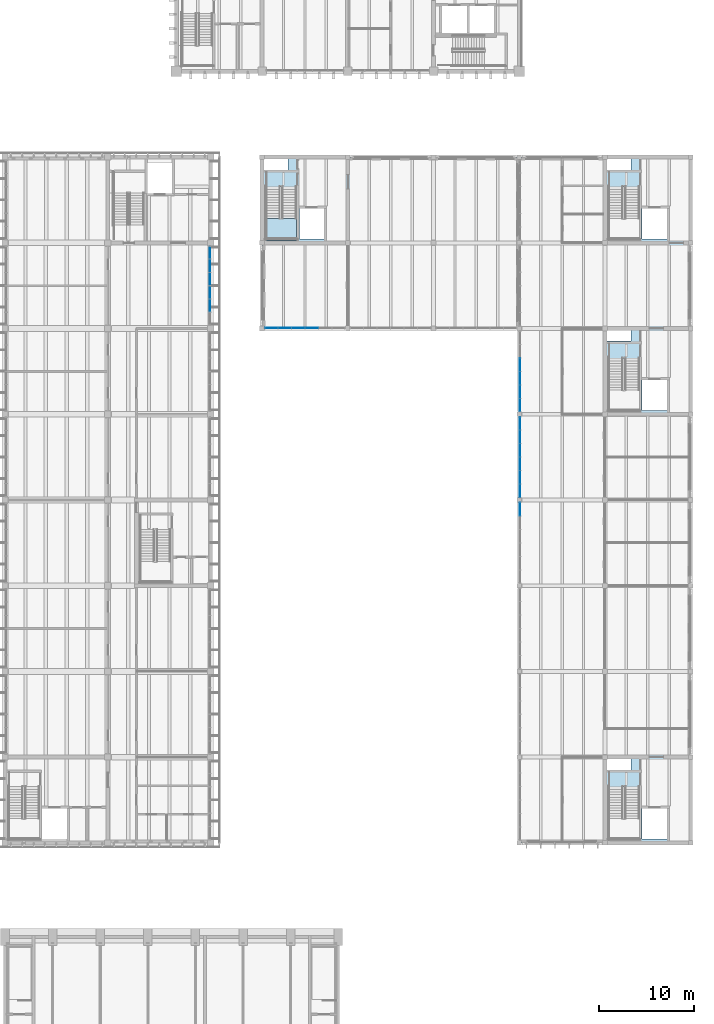
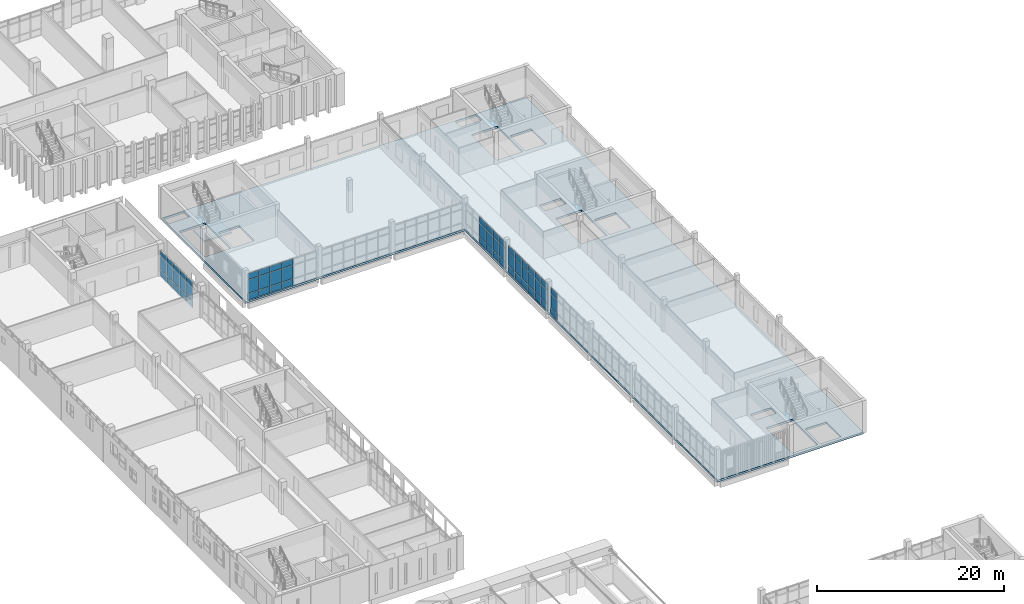
# One storey, part 42 of 92: 60 plates, 2 slabs, 6 elements without a shape of their own.
"""IFC4 building model written with IfcOpenShell, lengths in metres."""

import ifcopenshell
import ifcopenshell.guid

model = None  # the IFC model being written
_history = None  # IfcOwnerHistory: only IFC2X3 demands one
_inside = {}  # id of a spatial element -> (the spatial element, [elements in it])
_under = {}  # id of a project, library or spatial element -> (it, [spatial elements below it])
_declared = {}  # id of a project -> (the project, [libraries it declares])
_typed = {}  # id of a type object -> (the type object, [elements of that type])
_made_of = {}  # id of a material, layer set ... -> (it, [elements and type objects made of it])


def new_model(schema):
    """Start an empty IFC model of exactly this schema.

    Asked for "IFC4X3", IfcOpenShell would pick the latest addendum, in which some entities
    have other attributes; the version numbers below select the first issue.
    IFC2X3 requires an IfcOwnerHistory on every rooted entity: one is made here for all.
    """
    global model, _history
    if schema == "IFC4X3":
        model = ifcopenshell.file(schema_version=(4, 3, 0, 0))
    else:
        model = ifcopenshell.file(schema=schema)
    _inside.clear()
    _under.clear()
    _declared.clear()
    _typed.clear()
    _made_of.clear()
    _history = None
    if model.schema == "IFC2X3":
        org = make("IfcOrganization", Name="unknown")
        user = make(
            "IfcPersonAndOrganization",
            ThePerson=make("IfcPerson", FamilyName="unknown"),
            TheOrganization=org,
        )
        app = make(
            "IfcApplication",
            ApplicationDeveloper=org,
            Version="unknown",
            ApplicationFullName="unknown",
            ApplicationIdentifier="unknown",
        )
        _history = make(
            "IfcOwnerHistory",
            OwningUser=user,
            OwningApplication=app,
            ChangeAction="ADDED",
            CreationDate=0,
        )
    return model


def make(cls, **values):
    """One entity of the class cls with the attributes given. An attribute that is None is left unset."""
    return model.create_entity(
        cls, **{name: value for name, value in values.items() if value is not None}
    )


def rooted(cls, **values):
    """An entity with a GlobalId (a new one), such as an element, a storey or a relation."""
    return make(cls, GlobalId=ifcopenshell.guid.new(), OwnerHistory=_history, **values)


def si_unit(unit_type, name, prefix=None):
    """IfcSIUnit, for example si_unit("LENGTHUNIT", "METRE", prefix="MILLI")."""
    return make("IfcSIUnit", UnitType=unit_type, Prefix=prefix, Name=name)


def assignment(units):
    """IfcUnitAssignment: the units of a project."""
    return None if units is None else make("IfcUnitAssignment", Units=units)


def point(xyz):
    """IfcCartesianPoint."""
    return None if xyz is None else make("IfcCartesianPoint", Coordinates=xyz)


def direction(xyz):
    """IfcDirection."""
    return None if xyz is None else make("IfcDirection", DirectionRatios=xyz)


def frame(location, z_axis=None, x_axis=None):
    """IfcAxis2Placement3D, a coordinate frame: its origin and axes. An axis left out is left unset."""
    return make(
        "IfcAxis2Placement3D",
        Location=point(location),
        Axis=direction(z_axis),
        RefDirection=direction(x_axis),
    )


def frame_2d(location, x_axis=None):
    """IfcAxis2Placement2D, a coordinate frame in the plane: its origin and x axis."""
    return make(
        "IfcAxis2Placement2D", Location=point(location), RefDirection=direction(x_axis)
    )


def origin():
    """The frame at (0, 0, 0) with its axes left unset."""
    return frame((0.0, 0.0, 0.0))


def origin_2d():
    """The frame at (0, 0) in the plane with its x axis left unset."""
    return frame_2d((0.0, 0.0))


def place(relative_to, where):
    """IfcLocalPlacement: puts the frame where relative to a parent placement (None: the world)."""
    return make(
        "IfcLocalPlacement", PlacementRelTo=relative_to, RelativePlacement=where
    )


def context(
    kind, dimensions, precision=None, world=None, true_north=None, identifier=None
):
    """IfcGeometricRepresentationContext, for example the 3D "Model" context."""
    return make(
        "IfcGeometricRepresentationContext",
        ContextIdentifier=identifier,
        ContextType=kind,
        CoordinateSpaceDimension=dimensions,
        Precision=precision,
        WorldCoordinateSystem=world,
        TrueNorth=true_north,
    )


def subcontext(parent, identifier, kind, view, scale=None):
    """IfcGeometricRepresentationSubContext, for example "Body" below "Model"."""
    return make(
        "IfcGeometricRepresentationSubContext",
        ContextIdentifier=identifier,
        ContextType=kind,
        ParentContext=parent,
        TargetScale=scale,
        TargetView=view,
    )


def project(units=None, contexts=None):
    """IfcProject with its units and contexts."""
    return rooted(
        "IfcProject",
        Name="project",
        RepresentationContexts=contexts,
        UnitsInContext=assignment(units),
    )


def spatial(cls, under=None, at=None, **own):
    """A site, building, storey or space (cls), placed at a placement, below another one or the project."""
    s = rooted(cls, ObjectPlacement=at, **own)
    if under is not None:
        _under.setdefault(under.id(), (under, []))[1].append(s)
    return s


def polyline(points):
    """IfcPolyline through the points."""
    return make("IfcPolyline", Points=[point(p) for p in points])


def profile(cls, at=None, kind="AREA", **sizes):
    """A parametric profile (cls). Its sizes go by their IFC names, for example OverallWidth=200.0."""
    return make(cls, ProfileType=kind, Position=at, **sizes)


def rectangle(**sizes):
    """IfcRectangleProfileDef."""
    return profile("IfcRectangleProfileDef", **sizes)


def outline(outer, holes=None, kind="AREA"):
    """IfcArbitraryClosedProfileDef: a profile drawn as a closed curve; with holes, ...WithVoids."""
    if holes is None:
        return make("IfcArbitraryClosedProfileDef", ProfileType=kind, OuterCurve=outer)
    return make(
        "IfcArbitraryProfileDefWithVoids",
        ProfileType=kind,
        OuterCurve=outer,
        InnerCurves=holes,
    )


def extrude(swept, where, along, depth):
    """IfcExtrudedAreaSolid: the profile swept, set in the frame where, extruded along a direction by depth."""
    return make(
        "IfcExtrudedAreaSolid",
        SweptArea=swept,
        Position=where,
        ExtrudedDirection=direction(along),
        Depth=depth,
    )


def shape(context_of_items, identifier, shape_type, items):
    """IfcShapeRepresentation: the items that make up one representation, for example the "Body"."""
    return make(
        "IfcShapeRepresentation",
        ContextOfItems=context_of_items,
        RepresentationIdentifier=identifier,
        RepresentationType=shape_type,
        Items=items,
    )


def material(Name=None, Category=None):
    """IfcMaterial."""
    return make("IfcMaterial", Name=Name, Category=Category)


def layer(
    of_material, thickness, ventilated=None, Name=None, Category=None, Priority=None
):
    """IfcMaterialLayer: one layer of a wall or slab, of a material (None: an air gap)."""
    return make(
        "IfcMaterialLayer",
        Material=of_material,
        LayerThickness=thickness,
        IsVentilated=ventilated,
        Name=Name,
        Category=Category,
        Priority=Priority,
    )


def layer_set(layers, Name=None):
    """IfcMaterialLayerSet."""
    return make("IfcMaterialLayerSet", MaterialLayers=layers, LayerSetName=Name)


def made_of(thing, what):
    """Note that an element or type object is made of a material, layer set ...; save() writes the relation."""
    if what is not None:
        _made_of.setdefault(what.id(), (what, []))[1].append(thing)
    return thing


def type_object(cls, material=None, **own):
    """A type object (cls), such as IfcWallType, which elements share."""
    return made_of(rooted(cls, **own), material)


def element(
    cls,
    number,
    at=None,
    inside=None,
    cuts=None,
    type_object=None,
    material=None,
    context=None,
    identifier="Body",
    shape_type=None,
    held_by="IfcProductDefinitionShape",
    body=None,
    shapes=None,
    **own,
):
    """One element of the class cls, such as IfcWall. Its Tag is "e" and its number.

    at: its placement. inside: the storey or other place that contains it. cuts: it is an
    opening in that element (IfcRelVoidsElement). A single representation is given by context,
    identifier, shape_type and body (its items); several are given by shapes. held_by: the class
    of the entity that holds the representations. save() writes the other relations.
    """
    e = rooted(cls, Tag="e%d" % number, ObjectPlacement=at, **own)
    if body is not None:
        shapes = [shape(context, identifier, shape_type, body)]
    if shapes is not None:
        e.Representation = make(held_by, Representations=shapes)
    if inside is not None:
        _inside.setdefault(inside.id(), (inside, []))[1].append(e)
    if cuts is not None:
        rooted(
            "IfcRelVoidsElement", RelatingBuildingElement=cuts, RelatedOpeningElement=e
        )
    if type_object is not None:
        _typed.setdefault(type_object.id(), (type_object, []))[1].append(e)
    return made_of(e, material)


def aggregate(whole, parts):
    """IfcRelAggregates: a whole, such as a stair, and the parts it consists of."""
    return rooted("IfcRelAggregates", RelatingObject=whole, RelatedObjects=parts)


def save(model, path):
    """Write the relations noted so far, then the file.

    IfcRelAggregates (storeys below a building ...), IfcRelContainedInSpatialStructure (elements
    in a storey), IfcRelDefinesByType, IfcRelAssociatesMaterial and IfcRelDeclares: one each for
    every whole, place, type object, material and project.
    """
    for whole, parts in _under.values():
        aggregate(whole, parts)
    for where, things in _inside.values():
        rooted(
            "IfcRelContainedInSpatialStructure",
            RelatedElements=things,
            RelatingStructure=where,
        )
    for kind, things in _typed.values():
        rooted("IfcRelDefinesByType", RelatedObjects=things, RelatingType=kind)
    for what, things in _made_of.values():
        rooted("IfcRelAssociatesMaterial", RelatedObjects=things, RelatingMaterial=what)
    for by, libraries in _declared.values():
        rooted("IfcRelDeclares", RelatingContext=by, RelatedDefinitions=libraries)
    model.write(path)


model = new_model("IFC4")

# Units and contexts
model_context = context("Model", 3, precision=1e-05, world=origin(), true_north=direction((0.0, 1.0)))
body_context = subcontext(model_context, "Body", "Model", "MODEL_VIEW")
ifc_project = project(units=[si_unit("LENGTHUNIT", "METRE"), si_unit("AREAUNIT", "SQUARE_METRE"), si_unit("VOLUMEUNIT", "CUBIC_METRE"), si_unit("PLANEANGLEUNIT", "RADIAN"), si_unit("MASSUNIT", "GRAM", prefix="KILO")], contexts=[model_context])

# Site, building, storey
site_placement = place(None, origin())
site = spatial("IfcSite", under=ifc_project, at=site_placement, CompositionType="ELEMENT")
building_placement = place(site_placement, origin())
building = spatial("IfcBuilding", under=site, at=building_placement, Name="Merrow Basin Faculty of Sciences", CompositionType="ELEMENT")
storey_placement = place(building_placement, frame((0.0, 0.0, 4.5)))
storey = spatial("IfcBuildingStorey", under=building, at=storey_placement, Name="L01", CompositionType="ELEMENT", Elevation=4.5)

# Slab
ifc_material_1 = material(Name="Concrete C40/50", Category="concrete")
ifc_layer_1 = layer(ifc_material_1, 0.25)
ifc_layer_set_1 = layer_set([ifc_layer_1], Name="Floor slab 250 Concrete C40/50")
slab_type_1 = type_object("IfcSlabType", Name="Floor slab 250 Concrete C40/50", PredefinedType="FLOOR", material=ifc_layer_set_1)
slab_1_placement = place(storey_placement, frame((0.0, 0.0, -0.25)))
element("IfcSlab", 1, at=slab_1_placement, inside=storey, type_object=slab_type_1, Name="SL7 floor L01 001", PredefinedType="FLOOR", context=body_context, shape_type="SweptSolid", body=[
    extrude(outline(polyline([(54.0, 115.0), (27.0, 115.0), (27.0, 133.0), (54.0, 133.0), (72.0, 133.0), (72.0, 61.0), (54.0, 61.0), (54.0, 115.0)]), holes=[polyline([(66.89990234375, 106.39990234375), (69.5, 106.39990234375), (69.5, 109.60009765625), (66.89990234375, 109.60009765625), (66.89990234375, 106.39990234375)]), polyline([(66.89990234375, 124.39990234375), (69.5, 124.39990234375), (69.5, 127.60009765625), (66.89990234375, 127.60009765625), (66.89990234375, 124.39990234375)]), polyline([(69.5, 61.39990234375), (69.5, 64.60009765625), (66.89990234375, 64.60009765625), (66.89990234375, 61.39990234375), (69.5, 61.39990234375)]), polyline([(63.39990234375, 61.39990234375), (66.60009765625, 61.39990234375), (66.60009765625, 66.85009765625), (63.39990234375, 66.85009765625), (63.39990234375, 61.39990234375)]), polyline([(63.39990234375, 124.39990234375), (66.60009765625, 124.39990234375), (66.60009765625, 129.85009765625), (63.39990234375, 129.85009765625), (63.39990234375, 124.39990234375)]), polyline([(66.60009765625, 106.39990234375), (66.60009765625, 111.85009765625), (63.39990234375, 111.85009765625), (63.39990234375, 106.39990234375), (66.60009765625, 106.39990234375)]), polyline([(63.14990234375, 113.675048828125), (65.72509765625, 113.675048828125), (65.72509765625, 114.85009765625), (63.14990234375, 114.85009765625), (63.14990234375, 113.675048828125)]), polyline([(63.14990234375, 131.675048828125), (65.72509765625, 131.675048828125), (65.72509765625, 132.85009765625), (63.14990234375, 132.85009765625), (63.14990234375, 131.675048828125)]), polyline([(65.72509765625, 68.675048828125), (65.72509765625, 69.85009765625), (63.14990234375, 69.85009765625), (63.14990234375, 68.675048828125), (65.72509765625, 68.675048828125)]), polyline([(30.89990234375, 124.39990234375), (33.5, 124.39990234375), (33.5, 127.60009765625), (30.89990234375, 127.60009765625), (30.89990234375, 124.39990234375)]), polyline([(30.60009765625, 124.39990234375), (30.60009765625, 129.85009765625), (27.39990234375, 129.85009765625), (27.39990234375, 124.39990234375), (30.60009765625, 124.39990234375)]), polyline([(27.14990234375, 131.675048828125), (29.72509765625, 131.675048828125), (29.72509765625, 132.85009765625), (27.14990234375, 132.85009765625), (27.14990234375, 131.675048828125)])]), origin(), (0.0, 0.0, 1.0), 0.25),
])

# Curtain wall, plates
ifc_material_2 = material(Name="Aluminium alloy 6063", Category="aluminium")
curtain_wall_type_1 = type_object("IfcCurtainWallType", Name="Bar unitised curtain wall 180", PredefinedType="NOTDEFINED", material=ifc_material_2)
curtain_wall_1_placement = place(storey_placement, origin())
curtain_wall_1 = element("IfcCurtainWall", 2, at=curtain_wall_1_placement, inside=storey, type_object=curtain_wall_type_1, Name="East curtain wall L01 6", PredefinedType="NOTDEFINED")
ifc_material_3 = material(Name="Insulated aluminium spandrel panel", Category="aluminium")
ifc_layer_2 = layer(ifc_material_3, 0.052001953125)
ifc_layer_set_2 = layer_set([ifc_layer_2], Name="Insulated spandrel panel 52")
plate_type_1 = type_object("IfcPlateType", Name="Insulated spandrel panel 52", PredefinedType="CURTAIN_PANEL", material=ifc_layer_set_2)
plate_1_placement = place(storey_placement, frame((21.510009765625, 117.41259765625, 0.06005859375), z_axis=(0.0, 0.0, 1.0), x_axis=(0.0, 1.0, 0.0)))
plate_1 = element("IfcPlate", 3, at=plate_1_placement, type_object=plate_type_1, Name="CW1 panel 2.1", PredefinedType="CURTAIN_PANEL", context=body_context, shape_type="SweptSolid", body=[
    extrude(rectangle(XDim=1.331787109375, YDim=0.052001953125, at=origin_2d()), origin(), (0.0, 0.0, 1.0), 0.81005859375),
])
plate_2_placement = place(storey_placement, frame((21.510009765625, 118.80419921875, 0.06005859375), z_axis=(0.0, 0.0, 1.0), x_axis=(0.0, 1.0, 0.0)))
plate_2 = element("IfcPlate", 4, at=plate_2_placement, type_object=plate_type_1, Name="CW1 panel 3.1", PredefinedType="CURTAIN_PANEL", context=body_context, shape_type="SweptSolid", body=[
    extrude(rectangle(XDim=1.331787109375, YDim=0.052001953125, at=origin_2d()), origin(), (0.0, 0.0, 1.0), 0.81005859375),
])
plate_3_placement = place(storey_placement, frame((21.510009765625, 120.19580078125, 0.06005859375), z_axis=(0.0, 0.0, 1.0), x_axis=(0.0, 1.0, 0.0)))
plate_3 = element("IfcPlate", 5, at=plate_3_placement, type_object=plate_type_1, Name="CW1 panel 4.1", PredefinedType="CURTAIN_PANEL", context=body_context, shape_type="SweptSolid", body=[
    extrude(rectangle(XDim=1.331787109375, YDim=0.052001953125, at=origin_2d()), origin(), (0.0, 0.0, 1.0), 0.81005859375),
])
plate_4_placement = place(storey_placement, frame((21.510009765625, 121.58740234375, 0.06005859375), z_axis=(0.0, 0.0, 1.0), x_axis=(0.0, 1.0, 0.0)))
plate_4 = element("IfcPlate", 6, at=plate_4_placement, type_object=plate_type_1, Name="CW1 panel 5.1", PredefinedType="CURTAIN_PANEL", context=body_context, shape_type="SweptSolid", body=[
    extrude(rectangle(XDim=1.331787109375, YDim=0.052001953125, at=origin_2d()), origin(), (0.0, 0.0, 1.0), 0.81005859375),
])
plate_5_placement = place(storey_placement, frame((21.510009765625, 122.964111328125, 0.06005859375), z_axis=(0.0, 0.0, 1.0), x_axis=(0.0, 1.0, 0.0)))
plate_5 = element("IfcPlate", 7, at=plate_5_placement, type_object=plate_type_1, Name="CW1 panel 6.1", PredefinedType="CURTAIN_PANEL", context=body_context, shape_type="SweptSolid", body=[
    extrude(rectangle(XDim=1.3017578125, YDim=0.052001953125, at=origin_2d()), origin(), (0.0, 0.0, 1.0), 0.81005859375),
])

# Curtain wall, plate
ifc_material_4 = material(Name="Aluminium alloy 6063", Category="aluminium")
curtain_wall_type_2 = type_object("IfcCurtainWallType", Name="Court curtain wall 140", PredefinedType="NOTDEFINED", material=ifc_material_4)
curtain_wall_2_placement = place(storey_placement, origin())
curtain_wall_2 = element("IfcCurtainWall", 8, at=curtain_wall_2_placement, inside=storey, type_object=curtain_wall_type_2, Name="Court curtain wall L01 4", PredefinedType="NOTDEFINED")
plate_6_placement = place(storey_placement, frame((54.070068359375, 96.026611328125, 0.06005859375), z_axis=(0.0, 0.0, 1.0), x_axis=(0.0, 1.0, 0.0)))
plate_6 = element("IfcPlate", 9, at=plate_6_placement, type_object=plate_type_1, Name="CW8 panel 6.1", PredefinedType="CURTAIN_PANEL", context=body_context, shape_type="SweptSolid", body=[
    extrude(rectangle(XDim=1.32666015625, YDim=0.052001953125, at=origin_2d()), origin(), (0.0, 0.0, 1.0), 0.81005859375),
])

# Curtain wall, plates
curtain_wall_3_placement = place(storey_placement, origin())
curtain_wall_3 = element("IfcCurtainWall", 10, at=curtain_wall_3_placement, inside=storey, type_object=curtain_wall_type_2, Name="Court curtain wall L01 5", PredefinedType="NOTDEFINED")
plate_7_placement = place(storey_placement, frame((54.070068359375, 97.973388671875, 0.06005859375), z_axis=(0.0, 0.0, 1.0), x_axis=(0.0, 1.0, 0.0)))
plate_7 = element("IfcPlate", 11, at=plate_7_placement, type_object=plate_type_1, Name="CW8 panel 1.1", PredefinedType="CURTAIN_PANEL", context=body_context, shape_type="SweptSolid", body=[
    extrude(rectangle(XDim=1.32666015625, YDim=0.052001953125, at=origin_2d()), origin(), (0.0, 0.0, 1.0), 0.81005859375),
])
plate_8_placement = place(storey_placement, frame((54.070068359375, 99.375, 0.06005859375), z_axis=(0.0, 0.0, 1.0), x_axis=(0.0, 1.0, 0.0)))
plate_8 = element("IfcPlate", 12, at=plate_8_placement, type_object=plate_type_1, Name="CW8 panel 2.1", PredefinedType="CURTAIN_PANEL", context=body_context, shape_type="SweptSolid", body=[
    extrude(rectangle(XDim=1.356689453125, YDim=0.052001953125, at=origin_2d()), origin(), (0.0, 0.0, 1.0), 0.81005859375),
])
plate_9_placement = place(storey_placement, frame((54.070068359375, 100.791748046875, 0.06005859375), z_axis=(0.0, 0.0, 1.0), x_axis=(0.0, 1.0, 0.0)))
plate_9 = element("IfcPlate", 13, at=plate_9_placement, type_object=plate_type_1, Name="CW8 panel 3.1", PredefinedType="CURTAIN_PANEL", context=body_context, shape_type="SweptSolid", body=[
    extrude(rectangle(XDim=1.356689453125, YDim=0.052001953125, at=origin_2d()), origin(), (0.0, 0.0, 1.0), 0.81005859375),
])
plate_10_placement = place(storey_placement, frame((54.070068359375, 102.208251953125, 0.06005859375), z_axis=(0.0, 0.0, 1.0), x_axis=(0.0, 1.0, 0.0)))
plate_10 = element("IfcPlate", 14, at=plate_10_placement, type_object=plate_type_1, Name="CW8 panel 4.1", PredefinedType="CURTAIN_PANEL", context=body_context, shape_type="SweptSolid", body=[
    extrude(rectangle(XDim=1.356689453125, YDim=0.052001953125, at=origin_2d()), origin(), (0.0, 0.0, 1.0), 0.81005859375),
])
plate_11_placement = place(storey_placement, frame((54.070068359375, 103.625, 0.06005859375), z_axis=(0.0, 0.0, 1.0), x_axis=(0.0, 1.0, 0.0)))
plate_11 = element("IfcPlate", 15, at=plate_11_placement, type_object=plate_type_1, Name="CW8 panel 5.1", PredefinedType="CURTAIN_PANEL", context=body_context, shape_type="SweptSolid", body=[
    extrude(rectangle(XDim=1.356689453125, YDim=0.052001953125, at=origin_2d()), origin(), (0.0, 0.0, 1.0), 0.81005859375),
])
plate_12_placement = place(storey_placement, frame((54.070068359375, 105.026611328125, 0.06005859375), z_axis=(0.0, 0.0, 1.0), x_axis=(0.0, 1.0, 0.0)))
plate_12 = element("IfcPlate", 16, at=plate_12_placement, type_object=plate_type_1, Name="CW8 panel 6.1", PredefinedType="CURTAIN_PANEL", context=body_context, shape_type="SweptSolid", body=[
    extrude(rectangle(XDim=1.32666015625, YDim=0.052001953125, at=origin_2d()), origin(), (0.0, 0.0, 1.0), 0.81005859375),
])

curtain_wall_4_placement = place(storey_placement, origin())
curtain_wall_4 = element("IfcCurtainWall", 17, at=curtain_wall_4_placement, inside=storey, type_object=curtain_wall_type_2, Name="Court curtain wall L01 6", PredefinedType="NOTDEFINED")
plate_13_placement = place(storey_placement, frame((54.070068359375, 106.973388671875, 0.06005859375), z_axis=(0.0, 0.0, 1.0), x_axis=(0.0, 1.0, 0.0)))
plate_13 = element("IfcPlate", 18, at=plate_13_placement, type_object=plate_type_1, Name="CW8 panel 1.1", PredefinedType="CURTAIN_PANEL", context=body_context, shape_type="SweptSolid", body=[
    extrude(rectangle(XDim=1.32666015625, YDim=0.052001953125, at=origin_2d()), origin(), (0.0, 0.0, 1.0), 0.81005859375),
])
plate_14_placement = place(storey_placement, frame((54.070068359375, 108.375, 0.06005859375), z_axis=(0.0, 0.0, 1.0), x_axis=(0.0, 1.0, 0.0)))
plate_14 = element("IfcPlate", 19, at=plate_14_placement, type_object=plate_type_1, Name="CW8 panel 2.1", PredefinedType="CURTAIN_PANEL", context=body_context, shape_type="SweptSolid", body=[
    extrude(rectangle(XDim=1.356689453125, YDim=0.052001953125, at=origin_2d()), origin(), (0.0, 0.0, 1.0), 0.81005859375),
])
plate_15_placement = place(storey_placement, frame((54.070068359375, 109.791748046875, 0.06005859375), z_axis=(0.0, 0.0, 1.0), x_axis=(0.0, 1.0, 0.0)))
plate_15 = element("IfcPlate", 20, at=plate_15_placement, type_object=plate_type_1, Name="CW8 panel 3.1", PredefinedType="CURTAIN_PANEL", context=body_context, shape_type="SweptSolid", body=[
    extrude(rectangle(XDim=1.356689453125, YDim=0.052001953125, at=origin_2d()), origin(), (0.0, 0.0, 1.0), 0.81005859375),
])
plate_16_placement = place(storey_placement, frame((54.070068359375, 111.208251953125, 0.06005859375), z_axis=(0.0, 0.0, 1.0), x_axis=(0.0, 1.0, 0.0)))
plate_16 = element("IfcPlate", 21, at=plate_16_placement, type_object=plate_type_1, Name="CW8 panel 4.1", PredefinedType="CURTAIN_PANEL", context=body_context, shape_type="SweptSolid", body=[
    extrude(rectangle(XDim=1.356689453125, YDim=0.052001953125, at=origin_2d()), origin(), (0.0, 0.0, 1.0), 0.81005859375),
])

curtain_wall_5_placement = place(storey_placement, origin())
curtain_wall_5 = element("IfcCurtainWall", 22, at=curtain_wall_5_placement, inside=storey, type_object=curtain_wall_type_2, Name="Court curtain wall L01 1", PredefinedType="NOTDEFINED")
plate_17_placement = place(storey_placement, frame((27.973388671875, 115.070068359375, 0.06005859375), z_axis=(0.0, 0.0, 1.0), x_axis=(1.0, 0.0, 0.0)))
plate_17 = element("IfcPlate", 23, at=plate_17_placement, type_object=plate_type_1, Name="CW8 panel 1.1", PredefinedType="CURTAIN_PANEL", context=body_context, shape_type="SweptSolid", body=[
    extrude(rectangle(XDim=1.32666015625, YDim=0.052001953125, at=origin_2d()), origin(), (0.0, 0.0, 1.0), 0.81005859375),
])
plate_18_placement = place(storey_placement, frame((29.375, 115.070068359375, 0.06005859375), z_axis=(0.0, 0.0, 1.0), x_axis=(1.0, 0.0, 0.0)))
plate_18 = element("IfcPlate", 24, at=plate_18_placement, type_object=plate_type_1, Name="CW8 panel 2.1", PredefinedType="CURTAIN_PANEL", context=body_context, shape_type="SweptSolid", body=[
    extrude(rectangle(XDim=1.356689453125, YDim=0.052001953125, at=origin_2d()), origin(), (0.0, 0.0, 1.0), 0.81005859375),
])
plate_19_placement = place(storey_placement, frame((30.791748046875, 115.070068359375, 0.06005859375), z_axis=(0.0, 0.0, 1.0), x_axis=(1.0, 0.0, 0.0)))
plate_19 = element("IfcPlate", 25, at=plate_19_placement, type_object=plate_type_1, Name="CW8 panel 3.1", PredefinedType="CURTAIN_PANEL", context=body_context, shape_type="SweptSolid", body=[
    extrude(rectangle(XDim=1.356689453125, YDim=0.052001953125, at=origin_2d()), origin(), (0.0, 0.0, 1.0), 0.81005859375),
])
plate_20_placement = place(storey_placement, frame((32.208251953125, 115.070068359375, 0.06005859375), z_axis=(0.0, 0.0, 1.0), x_axis=(1.0, 0.0, 0.0)))
plate_20 = element("IfcPlate", 26, at=plate_20_placement, type_object=plate_type_1, Name="CW8 panel 4.1", PredefinedType="CURTAIN_PANEL", context=body_context, shape_type="SweptSolid", body=[
    extrude(rectangle(XDim=1.356689453125, YDim=0.052001953125, at=origin_2d()), origin(), (0.0, 0.0, 1.0), 0.81005859375),
])

# Plate
ifc_material_5 = material(Name="Low-E double glazing", Category="glass")
ifc_layer_3 = layer(ifc_material_5, 0.028076171875)
ifc_layer_set_3 = layer_set([ifc_layer_3], Name="Low-E double glazed panel 28")
plate_type_2 = type_object("IfcPlateType", Name="Low-E double glazed panel 28", PredefinedType="CURTAIN_PANEL", material=ifc_layer_set_3)
plate_21_placement = place(storey_placement, frame((21.510009765625, 117.41259765625, 0.93017578125), z_axis=(0.0, 0.0, 1.0), x_axis=(0.0, 1.0, 0.0)))
plate_21 = element("IfcPlate", 27, at=plate_21_placement, type_object=plate_type_2, Name="CW1 panel 2.2", PredefinedType="CURTAIN_PANEL", context=body_context, shape_type="SweptSolid", body=[
    extrude(rectangle(XDim=1.331787109375, YDim=0.028076171875, at=origin_2d()), origin(), (0.0, 0.0, 1.0), 1.739990234375),
])

plate_22_placement = place(storey_placement, frame((21.510009765625, 117.41259765625, 2.72998046875), z_axis=(0.0, 0.0, 1.0), x_axis=(0.0, 1.0, 0.0)))
plate_22 = element("IfcPlate", 28, at=plate_22_placement, type_object=plate_type_2, Name="CW1 panel 2.3", PredefinedType="CURTAIN_PANEL", context=body_context, shape_type="SweptSolid", body=[
    extrude(rectangle(XDim=1.331787109375, YDim=0.028076171875, at=origin_2d()), origin(), (0.0, 0.0, 1.0), 0.610107421875),
])

plate_23_placement = place(storey_placement, frame((21.510009765625, 118.80419921875, 0.93017578125), z_axis=(0.0, 0.0, 1.0), x_axis=(0.0, 1.0, 0.0)))
plate_23 = element("IfcPlate", 29, at=plate_23_placement, type_object=plate_type_2, Name="CW1 panel 3.2", PredefinedType="CURTAIN_PANEL", context=body_context, shape_type="SweptSolid", body=[
    extrude(rectangle(XDim=1.331787109375, YDim=0.028076171875, at=origin_2d()), origin(), (0.0, 0.0, 1.0), 1.739990234375),
])

plate_24_placement = place(storey_placement, frame((21.510009765625, 118.80419921875, 2.72998046875), z_axis=(0.0, 0.0, 1.0), x_axis=(0.0, 1.0, 0.0)))
plate_24 = element("IfcPlate", 30, at=plate_24_placement, type_object=plate_type_2, Name="CW1 panel 3.3", PredefinedType="CURTAIN_PANEL", context=body_context, shape_type="SweptSolid", body=[
    extrude(rectangle(XDim=1.331787109375, YDim=0.028076171875, at=origin_2d()), origin(), (0.0, 0.0, 1.0), 0.610107421875),
])

plate_25_placement = place(storey_placement, frame((21.510009765625, 120.19580078125, 0.93017578125), z_axis=(0.0, 0.0, 1.0), x_axis=(0.0, 1.0, 0.0)))
plate_25 = element("IfcPlate", 31, at=plate_25_placement, type_object=plate_type_2, Name="CW1 panel 4.2", PredefinedType="CURTAIN_PANEL", context=body_context, shape_type="SweptSolid", body=[
    extrude(rectangle(XDim=1.331787109375, YDim=0.028076171875, at=origin_2d()), origin(), (0.0, 0.0, 1.0), 1.739990234375),
])

plate_26_placement = place(storey_placement, frame((21.510009765625, 120.19580078125, 2.72998046875), z_axis=(0.0, 0.0, 1.0), x_axis=(0.0, 1.0, 0.0)))
plate_26 = element("IfcPlate", 32, at=plate_26_placement, type_object=plate_type_2, Name="CW1 panel 4.3", PredefinedType="CURTAIN_PANEL", context=body_context, shape_type="SweptSolid", body=[
    extrude(rectangle(XDim=1.331787109375, YDim=0.028076171875, at=origin_2d()), origin(), (0.0, 0.0, 1.0), 0.610107421875),
])

plate_27_placement = place(storey_placement, frame((21.510009765625, 121.58740234375, 0.93017578125), z_axis=(0.0, 0.0, 1.0), x_axis=(0.0, 1.0, 0.0)))
plate_27 = element("IfcPlate", 33, at=plate_27_placement, type_object=plate_type_2, Name="CW1 panel 5.2", PredefinedType="CURTAIN_PANEL", context=body_context, shape_type="SweptSolid", body=[
    extrude(rectangle(XDim=1.331787109375, YDim=0.028076171875, at=origin_2d()), origin(), (0.0, 0.0, 1.0), 1.739990234375),
])

plate_28_placement = place(storey_placement, frame((21.510009765625, 121.58740234375, 2.72998046875), z_axis=(0.0, 0.0, 1.0), x_axis=(0.0, 1.0, 0.0)))
plate_28 = element("IfcPlate", 34, at=plate_28_placement, type_object=plate_type_2, Name="CW1 panel 5.3", PredefinedType="CURTAIN_PANEL", context=body_context, shape_type="SweptSolid", body=[
    extrude(rectangle(XDim=1.331787109375, YDim=0.028076171875, at=origin_2d()), origin(), (0.0, 0.0, 1.0), 0.610107421875),
])

plate_29_placement = place(storey_placement, frame((21.510009765625, 122.964111328125, 0.93017578125), z_axis=(0.0, 0.0, 1.0), x_axis=(0.0, 1.0, 0.0)))
plate_29 = element("IfcPlate", 35, at=plate_29_placement, type_object=plate_type_2, Name="CW1 panel 6.2", PredefinedType="CURTAIN_PANEL", context=body_context, shape_type="SweptSolid", body=[
    extrude(rectangle(XDim=1.3017578125, YDim=0.028076171875, at=origin_2d()), origin(), (0.0, 0.0, 1.0), 1.739990234375),
])

plate_30_placement = place(storey_placement, frame((21.510009765625, 122.964111328125, 2.72998046875), z_axis=(0.0, 0.0, 1.0), x_axis=(0.0, 1.0, 0.0)))
plate_30 = element("IfcPlate", 36, at=plate_30_placement, type_object=plate_type_2, Name="CW1 panel 6.3", PredefinedType="CURTAIN_PANEL", context=body_context, shape_type="SweptSolid", body=[
    extrude(rectangle(XDim=1.3017578125, YDim=0.028076171875, at=origin_2d()), origin(), (0.0, 0.0, 1.0), 0.610107421875),
])

aggregate(curtain_wall_1, [plate_1, plate_21, plate_22, plate_2, plate_23, plate_24, plate_3, plate_25, plate_26, plate_4, plate_27, plate_28, plate_5, plate_29, plate_30])

plate_31_placement = place(storey_placement, frame((54.070068359375, 96.026611328125, 0.93017578125), z_axis=(0.0, 0.0, 1.0), x_axis=(0.0, 1.0, 0.0)))
plate_31 = element("IfcPlate", 37, at=plate_31_placement, type_object=plate_type_2, Name="CW8 panel 6.2", PredefinedType="CURTAIN_PANEL", context=body_context, shape_type="SweptSolid", body=[
    extrude(rectangle(XDim=1.32666015625, YDim=0.028076171875, at=origin_2d()), origin(), (0.0, 0.0, 1.0), 1.739990234375),
])

plate_32_placement = place(storey_placement, frame((54.070068359375, 96.026611328125, 2.72998046875), z_axis=(0.0, 0.0, 1.0), x_axis=(0.0, 1.0, 0.0)))
plate_32 = element("IfcPlate", 38, at=plate_32_placement, type_object=plate_type_2, Name="CW8 panel 6.3", PredefinedType="CURTAIN_PANEL", context=body_context, shape_type="SweptSolid", body=[
    extrude(rectangle(XDim=1.32666015625, YDim=0.028076171875, at=origin_2d()), origin(), (0.0, 0.0, 1.0), 0.760009765625),
])

aggregate(curtain_wall_2, [plate_6, plate_31, plate_32])

plate_33_placement = place(storey_placement, frame((54.070068359375, 97.973388671875, 0.93017578125), z_axis=(0.0, 0.0, 1.0), x_axis=(0.0, 1.0, 0.0)))
plate_33 = element("IfcPlate", 39, at=plate_33_placement, type_object=plate_type_2, Name="CW8 panel 1.2", PredefinedType="CURTAIN_PANEL", context=body_context, shape_type="SweptSolid", body=[
    extrude(rectangle(XDim=1.32666015625, YDim=0.028076171875, at=origin_2d()), origin(), (0.0, 0.0, 1.0), 1.739990234375),
])

plate_34_placement = place(storey_placement, frame((54.070068359375, 97.973388671875, 2.72998046875), z_axis=(0.0, 0.0, 1.0), x_axis=(0.0, 1.0, 0.0)))
plate_34 = element("IfcPlate", 40, at=plate_34_placement, type_object=plate_type_2, Name="CW8 panel 1.3", PredefinedType="CURTAIN_PANEL", context=body_context, shape_type="SweptSolid", body=[
    extrude(rectangle(XDim=1.32666015625, YDim=0.028076171875, at=origin_2d()), origin(), (0.0, 0.0, 1.0), 0.760009765625),
])

plate_35_placement = place(storey_placement, frame((54.070068359375, 99.375, 0.93017578125), z_axis=(0.0, 0.0, 1.0), x_axis=(0.0, 1.0, 0.0)))
plate_35 = element("IfcPlate", 41, at=plate_35_placement, type_object=plate_type_2, Name="CW8 panel 2.2", PredefinedType="CURTAIN_PANEL", context=body_context, shape_type="SweptSolid", body=[
    extrude(rectangle(XDim=1.356689453125, YDim=0.028076171875, at=origin_2d()), origin(), (0.0, 0.0, 1.0), 1.739990234375),
])

plate_36_placement = place(storey_placement, frame((54.070068359375, 99.375, 2.72998046875), z_axis=(0.0, 0.0, 1.0), x_axis=(0.0, 1.0, 0.0)))
plate_36 = element("IfcPlate", 42, at=plate_36_placement, type_object=plate_type_2, Name="CW8 panel 2.3", PredefinedType="CURTAIN_PANEL", context=body_context, shape_type="SweptSolid", body=[
    extrude(rectangle(XDim=1.356689453125, YDim=0.028076171875, at=origin_2d()), origin(), (0.0, 0.0, 1.0), 0.760009765625),
])

plate_37_placement = place(storey_placement, frame((54.070068359375, 100.791748046875, 0.93017578125), z_axis=(0.0, 0.0, 1.0), x_axis=(0.0, 1.0, 0.0)))
plate_37 = element("IfcPlate", 43, at=plate_37_placement, type_object=plate_type_2, Name="CW8 panel 3.2", PredefinedType="CURTAIN_PANEL", context=body_context, shape_type="SweptSolid", body=[
    extrude(rectangle(XDim=1.356689453125, YDim=0.028076171875, at=origin_2d()), origin(), (0.0, 0.0, 1.0), 1.739990234375),
])

plate_38_placement = place(storey_placement, frame((54.070068359375, 100.791748046875, 2.72998046875), z_axis=(0.0, 0.0, 1.0), x_axis=(0.0, 1.0, 0.0)))
plate_38 = element("IfcPlate", 44, at=plate_38_placement, type_object=plate_type_2, Name="CW8 panel 3.3", PredefinedType="CURTAIN_PANEL", context=body_context, shape_type="SweptSolid", body=[
    extrude(rectangle(XDim=1.356689453125, YDim=0.028076171875, at=origin_2d()), origin(), (0.0, 0.0, 1.0), 0.760009765625),
])

plate_39_placement = place(storey_placement, frame((54.070068359375, 102.208251953125, 0.93017578125), z_axis=(0.0, 0.0, 1.0), x_axis=(0.0, 1.0, 0.0)))
plate_39 = element("IfcPlate", 45, at=plate_39_placement, type_object=plate_type_2, Name="CW8 panel 4.2", PredefinedType="CURTAIN_PANEL", context=body_context, shape_type="SweptSolid", body=[
    extrude(rectangle(XDim=1.356689453125, YDim=0.028076171875, at=origin_2d()), origin(), (0.0, 0.0, 1.0), 1.739990234375),
])

plate_40_placement = place(storey_placement, frame((54.070068359375, 102.208251953125, 2.72998046875), z_axis=(0.0, 0.0, 1.0), x_axis=(0.0, 1.0, 0.0)))
plate_40 = element("IfcPlate", 46, at=plate_40_placement, type_object=plate_type_2, Name="CW8 panel 4.3", PredefinedType="CURTAIN_PANEL", context=body_context, shape_type="SweptSolid", body=[
    extrude(rectangle(XDim=1.356689453125, YDim=0.028076171875, at=origin_2d()), origin(), (0.0, 0.0, 1.0), 0.760009765625),
])

plate_41_placement = place(storey_placement, frame((54.070068359375, 103.625, 0.93017578125), z_axis=(0.0, 0.0, 1.0), x_axis=(0.0, 1.0, 0.0)))
plate_41 = element("IfcPlate", 47, at=plate_41_placement, type_object=plate_type_2, Name="CW8 panel 5.2", PredefinedType="CURTAIN_PANEL", context=body_context, shape_type="SweptSolid", body=[
    extrude(rectangle(XDim=1.356689453125, YDim=0.028076171875, at=origin_2d()), origin(), (0.0, 0.0, 1.0), 1.739990234375),
])

plate_42_placement = place(storey_placement, frame((54.070068359375, 103.625, 2.72998046875), z_axis=(0.0, 0.0, 1.0), x_axis=(0.0, 1.0, 0.0)))
plate_42 = element("IfcPlate", 48, at=plate_42_placement, type_object=plate_type_2, Name="CW8 panel 5.3", PredefinedType="CURTAIN_PANEL", context=body_context, shape_type="SweptSolid", body=[
    extrude(rectangle(XDim=1.356689453125, YDim=0.028076171875, at=origin_2d()), origin(), (0.0, 0.0, 1.0), 0.760009765625),
])

plate_43_placement = place(storey_placement, frame((54.070068359375, 105.026611328125, 0.93017578125), z_axis=(0.0, 0.0, 1.0), x_axis=(0.0, 1.0, 0.0)))
plate_43 = element("IfcPlate", 49, at=plate_43_placement, type_object=plate_type_2, Name="CW8 panel 6.2", PredefinedType="CURTAIN_PANEL", context=body_context, shape_type="SweptSolid", body=[
    extrude(rectangle(XDim=1.32666015625, YDim=0.028076171875, at=origin_2d()), origin(), (0.0, 0.0, 1.0), 1.739990234375),
])

plate_44_placement = place(storey_placement, frame((54.070068359375, 105.026611328125, 2.72998046875), z_axis=(0.0, 0.0, 1.0), x_axis=(0.0, 1.0, 0.0)))
plate_44 = element("IfcPlate", 50, at=plate_44_placement, type_object=plate_type_2, Name="CW8 panel 6.3", PredefinedType="CURTAIN_PANEL", context=body_context, shape_type="SweptSolid", body=[
    extrude(rectangle(XDim=1.32666015625, YDim=0.028076171875, at=origin_2d()), origin(), (0.0, 0.0, 1.0), 0.760009765625),
])

aggregate(curtain_wall_3, [plate_7, plate_33, plate_34, plate_8, plate_35, plate_36, plate_9, plate_37, plate_38, plate_10, plate_39, plate_40, plate_11, plate_41, plate_42, plate_12, plate_43, plate_44])

plate_45_placement = place(storey_placement, frame((54.070068359375, 106.973388671875, 0.93017578125), z_axis=(0.0, 0.0, 1.0), x_axis=(0.0, 1.0, 0.0)))
plate_45 = element("IfcPlate", 51, at=plate_45_placement, type_object=plate_type_2, Name="CW8 panel 1.2", PredefinedType="CURTAIN_PANEL", context=body_context, shape_type="SweptSolid", body=[
    extrude(rectangle(XDim=1.32666015625, YDim=0.028076171875, at=origin_2d()), origin(), (0.0, 0.0, 1.0), 1.739990234375),
])

plate_46_placement = place(storey_placement, frame((54.070068359375, 106.973388671875, 2.72998046875), z_axis=(0.0, 0.0, 1.0), x_axis=(0.0, 1.0, 0.0)))
plate_46 = element("IfcPlate", 52, at=plate_46_placement, type_object=plate_type_2, Name="CW8 panel 1.3", PredefinedType="CURTAIN_PANEL", context=body_context, shape_type="SweptSolid", body=[
    extrude(rectangle(XDim=1.32666015625, YDim=0.028076171875, at=origin_2d()), origin(), (0.0, 0.0, 1.0), 0.760009765625),
])

plate_47_placement = place(storey_placement, frame((54.070068359375, 108.375, 0.93017578125), z_axis=(0.0, 0.0, 1.0), x_axis=(0.0, 1.0, 0.0)))
plate_47 = element("IfcPlate", 53, at=plate_47_placement, type_object=plate_type_2, Name="CW8 panel 2.2", PredefinedType="CURTAIN_PANEL", context=body_context, shape_type="SweptSolid", body=[
    extrude(rectangle(XDim=1.356689453125, YDim=0.028076171875, at=origin_2d()), origin(), (0.0, 0.0, 1.0), 1.739990234375),
])

plate_48_placement = place(storey_placement, frame((54.070068359375, 108.375, 2.72998046875), z_axis=(0.0, 0.0, 1.0), x_axis=(0.0, 1.0, 0.0)))
plate_48 = element("IfcPlate", 54, at=plate_48_placement, type_object=plate_type_2, Name="CW8 panel 2.3", PredefinedType="CURTAIN_PANEL", context=body_context, shape_type="SweptSolid", body=[
    extrude(rectangle(XDim=1.356689453125, YDim=0.028076171875, at=origin_2d()), origin(), (0.0, 0.0, 1.0), 0.760009765625),
])

plate_49_placement = place(storey_placement, frame((54.070068359375, 109.791748046875, 0.93017578125), z_axis=(0.0, 0.0, 1.0), x_axis=(0.0, 1.0, 0.0)))
plate_49 = element("IfcPlate", 55, at=plate_49_placement, type_object=plate_type_2, Name="CW8 panel 3.2", PredefinedType="CURTAIN_PANEL", context=body_context, shape_type="SweptSolid", body=[
    extrude(rectangle(XDim=1.356689453125, YDim=0.028076171875, at=origin_2d()), origin(), (0.0, 0.0, 1.0), 1.739990234375),
])

plate_50_placement = place(storey_placement, frame((54.070068359375, 109.791748046875, 2.72998046875), z_axis=(0.0, 0.0, 1.0), x_axis=(0.0, 1.0, 0.0)))
plate_50 = element("IfcPlate", 56, at=plate_50_placement, type_object=plate_type_2, Name="CW8 panel 3.3", PredefinedType="CURTAIN_PANEL", context=body_context, shape_type="SweptSolid", body=[
    extrude(rectangle(XDim=1.356689453125, YDim=0.028076171875, at=origin_2d()), origin(), (0.0, 0.0, 1.0), 0.760009765625),
])

plate_51_placement = place(storey_placement, frame((54.070068359375, 111.208251953125, 0.93017578125), z_axis=(0.0, 0.0, 1.0), x_axis=(0.0, 1.0, 0.0)))
plate_51 = element("IfcPlate", 57, at=plate_51_placement, type_object=plate_type_2, Name="CW8 panel 4.2", PredefinedType="CURTAIN_PANEL", context=body_context, shape_type="SweptSolid", body=[
    extrude(rectangle(XDim=1.356689453125, YDim=0.028076171875, at=origin_2d()), origin(), (0.0, 0.0, 1.0), 1.739990234375),
])

plate_52_placement = place(storey_placement, frame((54.070068359375, 111.208251953125, 2.72998046875), z_axis=(0.0, 0.0, 1.0), x_axis=(0.0, 1.0, 0.0)))
plate_52 = element("IfcPlate", 58, at=plate_52_placement, type_object=plate_type_2, Name="CW8 panel 4.3", PredefinedType="CURTAIN_PANEL", context=body_context, shape_type="SweptSolid", body=[
    extrude(rectangle(XDim=1.356689453125, YDim=0.028076171875, at=origin_2d()), origin(), (0.0, 0.0, 1.0), 0.760009765625),
])

aggregate(curtain_wall_4, [plate_13, plate_45, plate_46, plate_14, plate_47, plate_48, plate_15, plate_49, plate_50, plate_16, plate_51, plate_52])

plate_53_placement = place(storey_placement, frame((27.973388671875, 115.070068359375, 0.93017578125), z_axis=(0.0, 0.0, 1.0), x_axis=(1.0, 0.0, 0.0)))
plate_53 = element("IfcPlate", 59, at=plate_53_placement, type_object=plate_type_2, Name="CW8 panel 1.2", PredefinedType="CURTAIN_PANEL", context=body_context, shape_type="SweptSolid", body=[
    extrude(rectangle(XDim=1.32666015625, YDim=0.028076171875, at=origin_2d()), origin(), (0.0, 0.0, 1.0), 1.739990234375),
])

plate_54_placement = place(storey_placement, frame((27.973388671875, 115.070068359375, 2.72998046875), z_axis=(0.0, 0.0, 1.0), x_axis=(1.0, 0.0, 0.0)))
plate_54 = element("IfcPlate", 60, at=plate_54_placement, type_object=plate_type_2, Name="CW8 panel 1.3", PredefinedType="CURTAIN_PANEL", context=body_context, shape_type="SweptSolid", body=[
    extrude(rectangle(XDim=1.32666015625, YDim=0.028076171875, at=origin_2d()), origin(), (0.0, 0.0, 1.0), 0.760009765625),
])

plate_55_placement = place(storey_placement, frame((29.375, 115.070068359375, 0.93017578125), z_axis=(0.0, 0.0, 1.0), x_axis=(1.0, 0.0, 0.0)))
plate_55 = element("IfcPlate", 61, at=plate_55_placement, type_object=plate_type_2, Name="CW8 panel 2.2", PredefinedType="CURTAIN_PANEL", context=body_context, shape_type="SweptSolid", body=[
    extrude(rectangle(XDim=1.356689453125, YDim=0.028076171875, at=origin_2d()), origin(), (0.0, 0.0, 1.0), 1.739990234375),
])

plate_56_placement = place(storey_placement, frame((29.375, 115.070068359375, 2.72998046875), z_axis=(0.0, 0.0, 1.0), x_axis=(1.0, 0.0, 0.0)))
plate_56 = element("IfcPlate", 62, at=plate_56_placement, type_object=plate_type_2, Name="CW8 panel 2.3", PredefinedType="CURTAIN_PANEL", context=body_context, shape_type="SweptSolid", body=[
    extrude(rectangle(XDim=1.356689453125, YDim=0.028076171875, at=origin_2d()), origin(), (0.0, 0.0, 1.0), 0.760009765625),
])

plate_57_placement = place(storey_placement, frame((30.791748046875, 115.070068359375, 0.93017578125), z_axis=(0.0, 0.0, 1.0), x_axis=(1.0, 0.0, 0.0)))
plate_57 = element("IfcPlate", 63, at=plate_57_placement, type_object=plate_type_2, Name="CW8 panel 3.2", PredefinedType="CURTAIN_PANEL", context=body_context, shape_type="SweptSolid", body=[
    extrude(rectangle(XDim=1.356689453125, YDim=0.028076171875, at=origin_2d()), origin(), (0.0, 0.0, 1.0), 1.739990234375),
])

plate_58_placement = place(storey_placement, frame((30.791748046875, 115.070068359375, 2.72998046875), z_axis=(0.0, 0.0, 1.0), x_axis=(1.0, 0.0, 0.0)))
plate_58 = element("IfcPlate", 64, at=plate_58_placement, type_object=plate_type_2, Name="CW8 panel 3.3", PredefinedType="CURTAIN_PANEL", context=body_context, shape_type="SweptSolid", body=[
    extrude(rectangle(XDim=1.356689453125, YDim=0.028076171875, at=origin_2d()), origin(), (0.0, 0.0, 1.0), 0.760009765625),
])

plate_59_placement = place(storey_placement, frame((32.208251953125, 115.070068359375, 0.93017578125), z_axis=(0.0, 0.0, 1.0), x_axis=(1.0, 0.0, 0.0)))
plate_59 = element("IfcPlate", 65, at=plate_59_placement, type_object=plate_type_2, Name="CW8 panel 4.2", PredefinedType="CURTAIN_PANEL", context=body_context, shape_type="SweptSolid", body=[
    extrude(rectangle(XDim=1.356689453125, YDim=0.028076171875, at=origin_2d()), origin(), (0.0, 0.0, 1.0), 1.739990234375),
])

plate_60_placement = place(storey_placement, frame((32.208251953125, 115.070068359375, 2.72998046875), z_axis=(0.0, 0.0, 1.0), x_axis=(1.0, 0.0, 0.0)))
plate_60 = element("IfcPlate", 66, at=plate_60_placement, type_object=plate_type_2, Name="CW8 panel 4.3", PredefinedType="CURTAIN_PANEL", context=body_context, shape_type="SweptSolid", body=[
    extrude(rectangle(XDim=1.356689453125, YDim=0.028076171875, at=origin_2d()), origin(), (0.0, 0.0, 1.0), 0.760009765625),
])

aggregate(curtain_wall_5, [plate_17, plate_53, plate_54, plate_18, plate_55, plate_56, plate_19, plate_57, plate_58, plate_20, plate_59, plate_60])

# Stair, slab
ifc_material_6 = material(Name="Concrete C40/50", Category="concrete")
stair_type = type_object("IfcStairType", Name="Concrete dog-leg stair Concrete C40/50", PredefinedType="HALF_TURN_STAIR", material=ifc_material_6)
stair_placement = place(storey_placement, origin())
stair = element("IfcStair", 67, at=stair_placement, inside=storey, type_object=stair_type, Name="L01 Exit stair W", PredefinedType="HALF_TURN_STAIR")
ifc_material_7 = material(Name="Concrete C40/50", Category="concrete")
ifc_layer_4 = layer(ifc_material_7, 0.199951171875)
ifc_layer_set_4 = layer_set([ifc_layer_4], Name="Stair landing 200 Concrete C40/50")
slab_type_2 = type_object("IfcSlabType", Name="Stair landing 200 Concrete C40/50", PredefinedType="LANDING", material=ifc_layer_set_4)
slab_2_placement = place(storey_placement, frame((0.0, 0.0, 2.050048828125)))
slab_2 = element("IfcSlab", 68, at=slab_2_placement, type_object=slab_type_2, Name="ST-V2-W landing 1", PredefinedType="LANDING", context=body_context, shape_type="SweptSolid", body=[
    extrude(outline(polyline([(27.199951171875, 124.199951171875), (30.60009765625, 124.199951171875), (30.60009765625, 126.5400390625), (27.199951171875, 126.5400390625), (27.199951171875, 124.199951171875)])), origin(), (0.0, 0.0, 1.0), 0.199951171875),
])
aggregate(stair, [slab_2])

save(model, "model.ifc")
